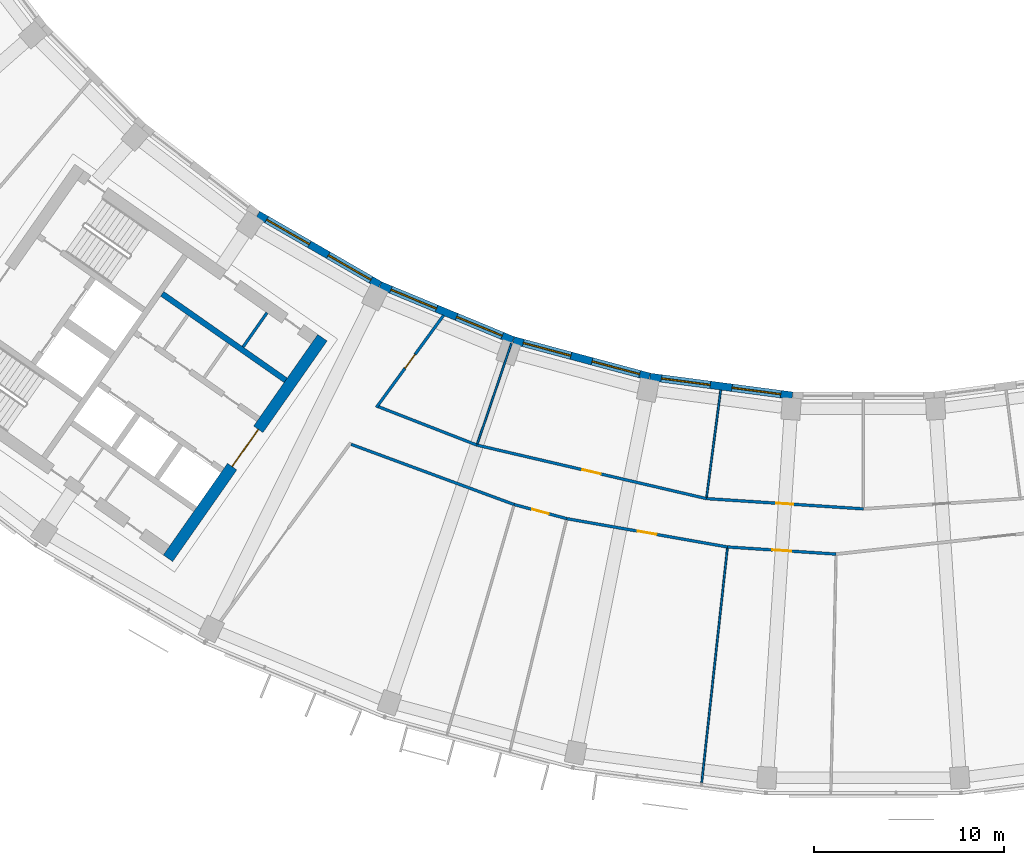
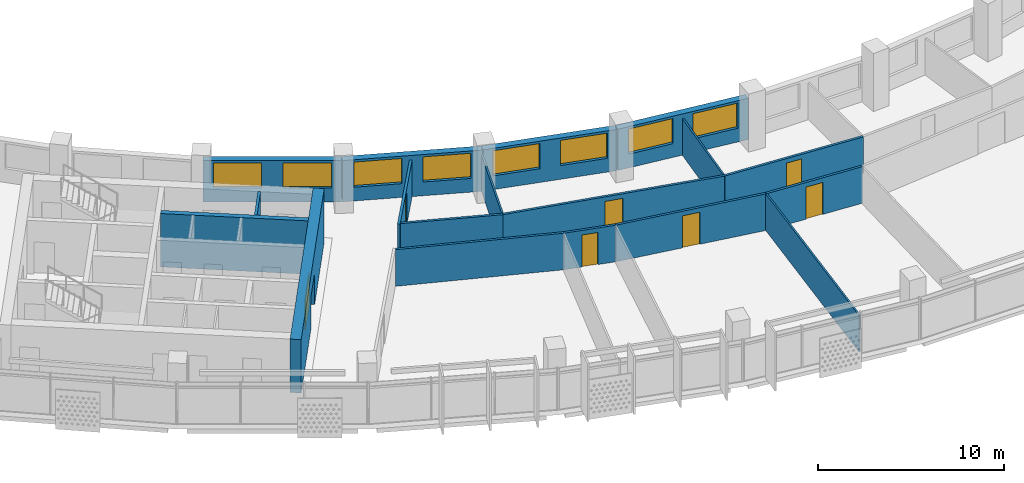
# One storey, part 4 of 27: 18 walls, 8 windows, 7 doors, 15 openings.
"""IFC4 building model written with IfcOpenShell, lengths in metres."""

from ifc_helpers import new_model, si_unit, direction, frame, frame_2d, origin, place, context, subcontext, project, spatial, rectangle, extrude, material, layer, layer_set, type_object, element, fill, save


model = new_model("IFC4")

# Units and contexts
model_context = context("Model", 3, precision=1e-05, world=origin(), true_north=direction((0.0, 1.0)))
body_context = subcontext(model_context, "Body", "Model", "MODEL_VIEW")
ifc_project = project(units=[si_unit("LENGTHUNIT", "METRE"), si_unit("AREAUNIT", "SQUARE_METRE"), si_unit("VOLUMEUNIT", "CUBIC_METRE"), si_unit("PLANEANGLEUNIT", "RADIAN"), si_unit("MASSUNIT", "GRAM", prefix="KILO")], contexts=[model_context])

# Site, building, storey
site_placement = place(None, origin())
site = spatial("IfcSite", under=ifc_project, at=site_placement, CompositionType="ELEMENT")
building_placement = place(site_placement, origin())
building = spatial("IfcBuilding", under=site, at=building_placement, Name="Qamariyya Broadcast Tower", CompositionType="ELEMENT")
storey_placement = place(building_placement, frame((0.0, 0.0, 237.89990234375)))
storey = spatial("IfcBuildingStorey", under=building, at=storey_placement, Name="L57", CompositionType="ELEMENT", Elevation=237.89990234375)

# Wall, opening, door
ifc_material_1 = material(Name="Concrete C60/75", Category="concrete")
ifc_layer_1 = layer(ifc_material_1, 0.60009765625)
ifc_layer_set_1 = layer_set([ifc_layer_1], Name="Core wall 600 mm Concrete C60/75")
wall_type_1 = type_object("IfcWallType", Name="Core wall 600 mm Concrete C60/75", PredefinedType="SHEAR", material=ifc_layer_set_1)
wall_1_placement = place(storey_placement, frame((-36.66748046875, -66.005126953125, 0.0), z_axis=(0.0, 0.0, 1.0), x_axis=(0.573568499524, 0.819157601658, 0.0)))
wall_1 = element("IfcWall", 1, at=wall_1_placement, inside=storey, type_object=wall_type_1, Name="k-W-L57-WA", PredefinedType="SHEAR", context=body_context, shape_type="SweptSolid", body=[
    extrude(rectangle(XDim=14.19970703125, YDim=0.60009765625, at=frame_2d((7.099853515625, 0.0))), origin(), (0.0, 0.0, 1.0), 3.5),
])
opening_1_placement = place(wall_1_placement, frame((5.89990234375, 0.0, 0.0)))
opening_1 = element("IfcOpeningElement", 2, at=opening_1_placement, cuts=wall_1, Name="Opening KD3-W1", PredefinedType="OPENING", context=body_context, shape_type="SweptSolid", body=[
    extrude(rectangle(XDim=2.39990234375, YDim=2.10009765625, at=frame_2d((1.199951171875, 1.050048828125))), frame((0.0, 0.31005859375, 0.0), z_axis=(0.0, -1.0, 0.0), x_axis=(1.0, 0.0, 0.0)), (0.0, 0.0, 1.0), 0.6201171875),
])
ifc_material_2 = material(Name="Steel fire-resisting door leaf", Category="steel")
door_type_1 = type_object("IfcDoorType", Name="Lift lobby door KD3", OperationType="DOUBLE_DOOR_SINGLE_SWING", PredefinedType="DOOR", material=ifc_material_2)
door_1_placement = place(opening_1_placement, origin())
door_1 = element("IfcDoor", 3, at=door_1_placement, inside=storey, type_object=door_type_1, Name="k-W-L57-WA-D1", OperationType="DOUBLE_DOOR_SINGLE_SWING", OverallHeight=2.10009765625, OverallWidth=2.39990234375, PredefinedType="DOOR", context=body_context, shape_type="SweptSolid", body=[
    extrude(rectangle(XDim=2.39990234375, YDim=2.10009765625, at=frame_2d((1.199951171875, 1.050048828125))), frame((0.0, 0.02490234375, 0.0), z_axis=(0.0, -1.0, 0.0), x_axis=(1.0, 0.0, 0.0)), (0.0, 0.0, 1.0), 0.050048828125),
])
fill(opening_1, door_1)

# Walls
ifc_material_3 = material(Name="Gypsum board partition")
ifc_layer_2 = layer(ifc_material_3, 0.14990234375)
ifc_layer_set_2 = layer_set([ifc_layer_2], Name="Corridor partition 150 EI 60")
wall_type_2 = type_object("IfcWallType", Name="Corridor partition 150 EI 60", PredefinedType="PARTITIONING", material=ifc_layer_set_2)
wall_2_placement = place(storey_placement, frame((-27.00732421875, -59.996337890625, 0.0), z_axis=(0.0, 0.0, 1.0), x_axis=(0.938039704857, -0.34652779414, 0.0)))
element("IfcWall", 4, at=wall_2_placement, inside=storey, type_object=wall_type_2, Name="Partition L57-003", PredefinedType="PARTITIONING", context=body_context, shape_type="SweptSolid", body=[
    extrude(rectangle(XDim=9.160400390625, YDim=0.14990234375, at=frame_2d((4.580078125, 0.0))), origin(), (0.0, 0.0, 1.0), 2.400146484375),
])
wall_3_placement = place(storey_placement, frame((-25.561767578125, -58.014892578125, 0.0), z_axis=(0.0, 0.0, 1.0), x_axis=(0.931697931841, -0.363234034479, 0.0)))
element("IfcWall", 5, at=wall_3_placement, inside=storey, type_object=wall_type_2, Name="Partition L57-004", PredefinedType="PARTITIONING", context=body_context, shape_type="SweptSolid", body=[
    extrude(rectangle(XDim=5.5625, YDim=0.14990234375, at=frame_2d((2.78125, 0.0))), origin(), (0.0, 0.0, 1.0), 2.400146484375),
])

# Wall, opening, door
wall_4_placement = place(storey_placement, frame((-22.135498046875, -53.1943359375, 0.0), z_axis=(0.0, 0.0, 1.0), x_axis=(-0.589297062476, -0.807916438846, 0.0)))
wall_4 = element("IfcWall", 6, at=wall_4_placement, inside=storey, type_object=wall_type_2, Name="Partition L57-006", PredefinedType="PARTITIONING", context=body_context, shape_type="SweptSolid", body=[
    extrude(rectangle(XDim=6.008056640625, YDim=0.14990234375, at=frame_2d((3.00390625, 0.0))), origin(), (0.0, 0.0, 1.0), 2.400146484375),
])
opening_2_placement = place(wall_4_placement, frame((2.553955078125, 0.0, 0.0)))
opening_2 = element("IfcOpeningElement", 7, at=opening_2_placement, cuts=wall_4, Name="Opening L57-D08", PredefinedType="OPENING", context=body_context, shape_type="SweptSolid", body=[
    extrude(rectangle(XDim=0.89990234375, YDim=2.10009765625, at=frame_2d((0.449951171875, 1.050048828125))), frame((0.0, 0.0849609375, 0.0), z_axis=(0.0, -1.0, 0.0), x_axis=(1.0, 0.0, 0.0)), (0.0, 0.0, 1.0), 0.169921875),
])
ifc_material_4 = material(Name="Timber fire door leaf", Category="wood")
door_type_2 = type_object("IfcDoorType", Name="Fire door 900 x 2100 FD60", OperationType="NOTDEFINED", PredefinedType="DOOR", material=ifc_material_4)
door_2_placement = place(opening_2_placement, origin())
door_2 = element("IfcDoor", 8, at=door_2_placement, inside=storey, type_object=door_type_2, Name="Door L57-D08", OperationType="SINGLE_SWING_RIGHT", OverallHeight=2.10009765625, OverallWidth=0.89990234375, PredefinedType="DOOR", context=body_context, shape_type="SweptSolid", body=[
    extrude(rectangle(XDim=0.89990234375, YDim=2.10009765625, at=frame_2d((0.449951171875, 1.050048828125))), frame((0.0, 0.02490234375, 0.0), z_axis=(0.0, -1.0, 0.0), x_axis=(1.0, 0.0, 0.0)), (0.0, 0.0, 1.0), 0.050048828125),
])
fill(opening_2, door_2)

wall_5_placement = place(storey_placement, frame((-20.379150390625, -60.035400390625, 0.0), z_axis=(0.0, 0.0, 1.0), x_axis=(0.973875828479, -0.227081198483, 0.0)))
wall_5 = element("IfcWall", 9, at=wall_5_placement, inside=storey, type_object=wall_type_2, Name="Partition L57-007", PredefinedType="PARTITIONING", context=body_context, shape_type="SweptSolid", body=[
    extrude(rectangle(XDim=12.428466796875, YDim=0.14990234375, at=frame_2d((6.21435546875, 0.0))), origin(), (0.0, 0.0, 1.0), 2.400146484375),
])
opening_3_placement = place(wall_5_placement, frame((5.71435546875, 0.0, 0.0)))
opening_3 = element("IfcOpeningElement", 10, at=opening_3_placement, cuts=wall_5, Name="Opening L57-D09", PredefinedType="OPENING", context=body_context, shape_type="SweptSolid", body=[
    extrude(rectangle(XDim=1.0, YDim=2.10009765625, at=frame_2d((0.5, 1.050048828125))), frame((0.0, 0.0849609375, 0.0), z_axis=(0.0, -1.0, 0.0), x_axis=(1.0, 0.0, 0.0)), (0.0, 0.0, 1.0), 0.169921875),
])
door_type_3 = type_object("IfcDoorType", Name="Fire door 1000 x 2100 FD60", OperationType="NOTDEFINED", PredefinedType="DOOR", material=ifc_material_4)
door_3_placement = place(opening_3_placement, origin())
door_3 = element("IfcDoor", 11, at=door_3_placement, inside=storey, type_object=door_type_3, Name="Door L57-D09", OperationType="SINGLE_SWING_RIGHT", OverallHeight=2.10009765625, OverallWidth=1.0, PredefinedType="DOOR", context=body_context, shape_type="SweptSolid", body=[
    extrude(rectangle(XDim=1.0, YDim=2.10009765625, at=frame_2d((0.5, 1.050048828125))), frame((0.0, 0.02490234375, 0.0), z_axis=(0.0, -1.0, 0.0), x_axis=(1.0, 0.0, 0.0)), (0.0, 0.0, 1.0), 0.050048828125),
])
fill(opening_3, door_3)

wall_6_placement = place(storey_placement, frame((-15.637939453125, -63.914794921875, 0.0), z_axis=(0.0, 0.0, 1.0), x_axis=(-0.965912791771, 0.258867685687, 0.0)))
wall_6 = element("IfcWall", 12, at=wall_6_placement, inside=storey, type_object=wall_type_2, Name="Partition L57-010", PredefinedType="PARTITIONING", context=body_context, shape_type="SweptSolid", body=[
    extrude(rectangle(XDim=2.87451171875, YDim=0.14990234375, at=frame_2d((1.437255859375, 0.0))), origin(), (0.0, 0.0, 1.0), 2.400146484375),
])
opening_4_placement = place(wall_6_placement, frame((0.9873046875, 0.0, 0.0)))
opening_4 = element("IfcOpeningElement", 13, at=opening_4_placement, cuts=wall_6, Name="Opening L57-D02", PredefinedType="OPENING", context=body_context, shape_type="SweptSolid", body=[
    extrude(rectangle(XDim=0.89990234375, YDim=2.10009765625, at=frame_2d((0.449951171875, 1.050048828125))), frame((0.0, 0.0849609375, 0.0), z_axis=(0.0, -1.0, 0.0), x_axis=(1.0, 0.0, 0.0)), (0.0, 0.0, 1.0), 0.169921875),
])
door_4_placement = place(opening_4_placement, origin())
door_4 = element("IfcDoor", 14, at=door_4_placement, inside=storey, type_object=door_type_2, Name="Door L57-D02", OperationType="SINGLE_SWING_RIGHT", OverallHeight=2.10009765625, OverallWidth=0.89990234375, PredefinedType="DOOR", context=body_context, shape_type="SweptSolid", body=[
    extrude(rectangle(XDim=0.89990234375, YDim=2.10009765625, at=frame_2d((0.449951171875, 1.050048828125))), frame((0.0, 0.02490234375, 0.0), z_axis=(0.0, -1.0, 0.0), x_axis=(1.0, 0.0, 0.0)), (0.0, 0.0, 1.0), 0.050048828125),
])
fill(opening_4, door_4)

wall_7_placement = place(storey_placement, frame((-7.16162109375, -65.4091796875, 0.0), z_axis=(0.0, 0.0, 1.0), x_axis=(-0.984812101115, 0.173623516545, 0.0)))
wall_7 = element("IfcWall", 15, at=wall_7_placement, inside=storey, type_object=wall_type_2, Name="Partition L57-011", PredefinedType="PARTITIONING", context=body_context, shape_type="SweptSolid", body=[
    extrude(rectangle(XDim=8.60693359375, YDim=0.14990234375, at=frame_2d((4.303466796875, 0.0))), origin(), (0.0, 0.0, 1.0), 2.400146484375),
])
opening_5_placement = place(wall_7_placement, frame((3.803466796875, 0.0, 0.0)))
opening_5 = element("IfcOpeningElement", 16, at=opening_5_placement, cuts=wall_7, Name="Opening L57-D03", PredefinedType="OPENING", context=body_context, shape_type="SweptSolid", body=[
    extrude(rectangle(XDim=1.0, YDim=2.10009765625, at=frame_2d((0.5, 1.050048828125))), frame((0.0, 0.0849609375, 0.0), z_axis=(0.0, -1.0, 0.0), x_axis=(1.0, 0.0, 0.0)), (0.0, 0.0, 1.0), 0.169921875),
])
door_5_placement = place(opening_5_placement, origin())
door_5 = element("IfcDoor", 17, at=door_5_placement, inside=storey, type_object=door_type_3, Name="Door L57-D03", OperationType="SINGLE_SWING_RIGHT", OverallHeight=2.10009765625, OverallWidth=1.0, PredefinedType="DOOR", context=body_context, shape_type="SweptSolid", body=[
    extrude(rectangle(XDim=1.0, YDim=2.10009765625, at=frame_2d((0.5, 1.050048828125))), frame((0.0, 0.02490234375, 0.0), z_axis=(0.0, -1.0, 0.0), x_axis=(1.0, 0.0, 0.0)), (0.0, 0.0, 1.0), 0.050048828125),
])
fill(opening_5, door_5)

wall_8_placement = place(storey_placement, frame((-8.275390625, -62.857666015625, 0.0), z_axis=(0.0, 0.0, 1.0), x_axis=(0.997860193426, -0.065383747038, 0.0)))
wall_8 = element("IfcWall", 18, at=wall_8_placement, inside=storey, type_object=wall_type_2, Name="Partition L57-013", PredefinedType="PARTITIONING", context=body_context, shape_type="SweptSolid", body=[
    extrude(rectangle(XDim=8.293212890625, YDim=0.14990234375, at=frame_2d((4.146484375, 0.0))), origin(), (0.0, 0.0, 1.0), 2.400146484375),
])
opening_6_placement = place(wall_8_placement, frame((3.696533203125, 0.0, 0.0)))
opening_6 = element("IfcOpeningElement", 19, at=opening_6_placement, cuts=wall_8, Name="Opening L57-D10", PredefinedType="OPENING", context=body_context, shape_type="SweptSolid", body=[
    extrude(rectangle(XDim=0.89990234375, YDim=2.10009765625, at=frame_2d((0.449951171875, 1.050048828125))), frame((0.0, 0.0849609375, 0.0), z_axis=(0.0, -1.0, 0.0), x_axis=(1.0, 0.0, 0.0)), (0.0, 0.0, 1.0), 0.169921875),
])
door_6_placement = place(opening_6_placement, origin())
door_6 = element("IfcDoor", 20, at=door_6_placement, inside=storey, type_object=door_type_2, Name="Door L57-D10", OperationType="SINGLE_SWING_RIGHT", OverallHeight=2.10009765625, OverallWidth=0.89990234375, PredefinedType="DOOR", context=body_context, shape_type="SweptSolid", body=[
    extrude(rectangle(XDim=0.89990234375, YDim=2.10009765625, at=frame_2d((0.449951171875, 1.050048828125))), frame((0.0, 0.02490234375, 0.0), z_axis=(0.0, -1.0, 0.0), x_axis=(1.0, 0.0, 0.0)), (0.0, 0.0, 1.0), 0.050048828125),
])
fill(opening_6, door_6)

wall_9_placement = place(storey_placement, frame((-1.437255859375, -65.7841796875, 0.0), z_axis=(0.0, 0.0, 1.0), x_axis=(-0.997861137906, 0.065369331165, 0.0)))
wall_9 = element("IfcWall", 21, at=wall_9_placement, inside=storey, type_object=wall_type_2, Name="Partition L57-015", PredefinedType="PARTITIONING", context=body_context, shape_type="SweptSolid", body=[
    extrude(rectangle(XDim=5.736572265625, YDim=0.14990234375, at=frame_2d((2.8681640625, 0.0))), origin(), (0.0, 0.0, 1.0), 2.400146484375),
])
opening_7_placement = place(wall_9_placement, frame((2.368408203125, 0.0, 0.0)))
opening_7 = element("IfcOpeningElement", 22, at=opening_7_placement, cuts=wall_9, Name="Opening L57-D04", PredefinedType="OPENING", context=body_context, shape_type="SweptSolid", body=[
    extrude(rectangle(XDim=1.0, YDim=2.10009765625, at=frame_2d((0.5, 1.050048828125))), frame((0.0, 0.0849609375, 0.0), z_axis=(0.0, -1.0, 0.0), x_axis=(1.0, 0.0, 0.0)), (0.0, 0.0, 1.0), 0.169921875),
])
door_7_placement = place(opening_7_placement, origin())
door_7 = element("IfcDoor", 23, at=door_7_placement, inside=storey, type_object=door_type_3, Name="Door L57-D04", OperationType="SINGLE_SWING_RIGHT", OverallHeight=2.10009765625, OverallWidth=1.0, PredefinedType="DOOR", context=body_context, shape_type="SweptSolid", body=[
    extrude(rectangle(XDim=1.0, YDim=2.10009765625, at=frame_2d((0.5, 1.050048828125))), frame((0.0, 0.02490234375, 0.0), z_axis=(0.0, -1.0, 0.0), x_axis=(1.0, 0.0, 0.0)), (0.0, 0.0, 1.0), 0.050048828125),
])
fill(opening_7, door_7)

# Walls
ifc_material_5 = material(Name="Gypsum board partition on steel studs", Category="steel")
ifc_layer_3 = layer(ifc_material_5, 0.14990234375)
ifc_layer_set_3 = layer_set([ifc_layer_3], Name="Gypsum board partition 150 mm")
wall_type_3 = type_object("IfcWallType", Name="Gypsum board partition 150 mm", PredefinedType="PARTITIONING", material=ifc_layer_set_3)
wall_10_placement = place(storey_placement, frame((-32.709228515625, -54.860107421875, 0.0), z_axis=(0.0, 0.0, 1.0), x_axis=(0.573633636671, 0.819111989218, 0.0)))
element("IfcWall", 24, at=wall_10_placement, inside=storey, type_object=wall_type_3, Name="k-W-L57-NP285", PredefinedType="PARTITIONING", context=body_context, shape_type="SweptSolid", body=[
    extrude(rectangle(XDim=2.199951171875, YDim=0.14990234375, at=frame_2d((1.10009765625, 0.0))), origin(), (0.0, 0.0, 1.0), 3.5),
])
ifc_layer_4 = layer(ifc_material_1, 0.300048828125)
ifc_layer_set_4 = layer_set([ifc_layer_4], Name="Lift shaft wall 300 mm Concrete C60/75")
wall_type_4 = type_object("IfcWallType", Name="Lift shaft wall 300 mm Concrete C60/75", PredefinedType="SOLIDWALL", material=ifc_layer_set_4)
wall_11_placement = place(storey_placement, frame((-30.460693359375, -56.61767578125, 0.0), z_axis=(0.0, 0.0, 1.0), x_axis=(-0.819142461705, 0.573590121456, 0.0)))
element("IfcWall", 25, at=wall_11_placement, inside=storey, type_object=wall_type_4, Name="k-W-L57-NB0", PredefinedType="SOLIDWALL", context=body_context, shape_type="SweptSolid", body=[
    extrude(rectangle(XDim=7.949951171875, YDim=0.300048828125, at=frame_2d((3.97509765625, 0.0))), origin(), (0.0, 0.0, 1.0), 3.5),
])
ifc_layer_5 = layer(ifc_material_3, 0.10009765625)
ifc_layer_set_5 = layer_set([ifc_layer_5], Name="Partition 100")
wall_type_5 = type_object("IfcWallType", Name="Partition 100", PredefinedType="PARTITIONING", material=ifc_layer_set_5)
wall_12_placement = place(storey_placement, frame((-18.563232421875, -54.685302734375, 0.0), z_axis=(0.0, 0.0, 1.0), x_axis=(-0.321438701958, -0.946930388616, 0.0)))
element("IfcWall", 26, at=wall_12_placement, inside=storey, type_object=wall_type_5, Name="Partition L57-009", PredefinedType="PARTITIONING", context=body_context, shape_type="SweptSolid", body=[
    extrude(rectangle(XDim=5.574951171875, YDim=0.10009765625, at=frame_2d((2.78759765625, 0.0))), origin(), (0.0, 0.0, 1.0), 2.400146484375),
])
wall_13_placement = place(storey_placement, frame((-8.522216796875, -77.835205078125, 0.0), z_axis=(0.0, 0.0, 1.0), x_axis=(0.108852796, 0.994057880006, 0.0)))
element("IfcWall", 27, at=wall_13_placement, inside=storey, type_object=wall_type_5, Name="Partition L57-012", PredefinedType="PARTITIONING", context=body_context, shape_type="SweptSolid", body=[
    extrude(rectangle(XDim=12.42529296875, YDim=0.10009765625, at=frame_2d((6.212646484375, 0.0))), origin(), (0.0, 0.0, 1.0), 2.400146484375),
])
wall_14_placement = place(storey_placement, frame((-7.52197265625, -57.13427734375, 0.0), z_axis=(0.0, 0.0, 1.0), x_axis=(-0.130518800749, -0.991445834451, 0.0)))
element("IfcWall", 28, at=wall_14_placement, inside=storey, type_object=wall_type_5, Name="Partition L57-014", PredefinedType="PARTITIONING", context=body_context, shape_type="SweptSolid", body=[
    extrude(rectangle(XDim=5.69775390625, YDim=0.10009765625, at=frame_2d((2.848876953125, 0.0))), origin(), (0.0, 0.0, 1.0), 2.400146484375),
])

# Wall, openings, windows
ifc_material_6 = material(Name="Terracotta", Category="masonry")
ifc_layer_6 = layer(ifc_material_6, 0.39990234375)
ifc_layer_set_6 = layer_set([ifc_layer_6], Name="Terracotta clad wall 400")
wall_type_6 = type_object("IfcWallType", Name="Terracotta clad wall 400", PredefinedType="SOLIDWALL", material=ifc_layer_set_6)
wall_15_placement = place(storey_placement, frame((-25.497802734375, -51.590087890625, 0.0), z_axis=(0.0, 0.0, 1.0), x_axis=(-0.866021353871, 0.500007014591, 0.0)))
wall_15 = element("IfcWall", 29, at=wall_15_placement, inside=storey, type_object=wall_type_6, Name="e-wl-L57-in40", PredefinedType="SOLIDWALL", context=body_context, shape_type="SweptSolid", body=[
    extrude(rectangle(XDim=7.4267578125, YDim=0.39990234375, at=frame_2d((3.71337890625, 0.0))), origin(), (0.0, 0.0, 1.0), 2.7001953125),
])
opening_8_placement = place(wall_15_placement, frame((4.28857421875, 0.0, 0.89990234375)))
opening_8 = element("IfcOpeningElement", 30, at=opening_8_placement, cuts=wall_15, Name="Opening W1", PredefinedType="OPENING", context=body_context, shape_type="SweptSolid", body=[
    extrude(rectangle(XDim=2.60009765625, YDim=1.64990234375, at=frame_2d((1.300048828125, 0.824951171875))), frame((0.0, 0.2099609375, 0.0), z_axis=(0.0, -1.0, 0.0), x_axis=(1.0, 0.0, 0.0)), (0.0, 0.0, 1.0), 0.419921875),
])
opening_9_placement = place(wall_15_placement, frame((0.537841796875, 0.0, 0.89990234375)))
opening_9 = element("IfcOpeningElement", 31, at=opening_9_placement, cuts=wall_15, Name="Opening W1", PredefinedType="OPENING", context=body_context, shape_type="SweptSolid", body=[
    extrude(rectangle(XDim=2.60009765625, YDim=1.64990234375, at=frame_2d((1.300048828125, 0.824951171875))), frame((0.0, 0.2099609375, 0.0), z_axis=(0.0, -1.0, 0.0), x_axis=(1.0, 0.0, 0.0)), (0.0, 0.0, 1.0), 0.419921875),
])
ifc_material_7 = material(Name="Clear low-e double glazed unit in aluminium frame", Category="aluminium")
window_type = type_object("IfcWindowType", Name="Ribbon window 2600 x 1650", PartitioningType="SINGLE_PANEL", PredefinedType="WINDOW", material=ifc_material_7)
window_1_placement = place(opening_8_placement, origin())
window_1 = element("IfcWindow", 32, at=window_1_placement, inside=storey, type_object=window_type, Name="e-w-L57-in04-0", OverallHeight=1.64990234375, OverallWidth=2.60009765625, PartitioningType="SINGLE_PANEL", PredefinedType="WINDOW", context=body_context, shape_type="SweptSolid", body=[
    extrude(rectangle(XDim=2.60009765625, YDim=1.64990234375, at=frame_2d((1.300048828125, 0.824951171875))), frame((0.0, 0.030029296875, 0.0), z_axis=(0.0, -1.0, 0.0), x_axis=(1.0, 0.0, 0.0)), (0.0, 0.0, 1.0), 0.06005859375),
])
fill(opening_8, window_1)
window_2_placement = place(opening_9_placement, origin())
window_2 = element("IfcWindow", 33, at=window_2_placement, inside=storey, type_object=window_type, Name="e-w-L57-in04-1", OverallHeight=1.64990234375, OverallWidth=2.60009765625, PartitioningType="SINGLE_PANEL", PredefinedType="WINDOW", context=body_context, shape_type="SweptSolid", body=[
    extrude(rectangle(XDim=2.60009765625, YDim=1.64990234375, at=frame_2d((1.300048828125, 0.824951171875))), frame((0.0, 0.030029296875, 0.0), z_axis=(0.0, -1.0, 0.0), x_axis=(1.0, 0.0, 0.0)), (0.0, 0.0, 1.0), 0.06005859375),
])
fill(opening_9, window_2)

wall_16_placement = place(storey_placement, frame((-18.475830078125, -54.505859375, 0.0), z_axis=(0.0, 0.0, 1.0), x_axis=(-0.923884115122, 0.382672368777, 0.0)))
wall_16 = element("IfcWall", 34, at=wall_16_placement, inside=storey, type_object=wall_type_6, Name="e-wl-L57-in50", PredefinedType="SOLIDWALL", context=body_context, shape_type="SweptSolid", body=[
    extrude(rectangle(XDim=7.578125, YDim=0.39990234375, at=frame_2d((3.7890625, 0.0))), origin(), (0.0, 0.0, 1.0), 2.7001953125),
])
opening_10_placement = place(wall_16_placement, frame((4.364501953125, 0.0, 0.89990234375)))
opening_10 = element("IfcOpeningElement", 35, at=opening_10_placement, cuts=wall_16, Name="Opening W1", PredefinedType="OPENING", context=body_context, shape_type="SweptSolid", body=[
    extrude(rectangle(XDim=2.60009765625, YDim=1.64990234375, at=frame_2d((1.300048828125, 0.824951171875))), frame((0.0, 0.2099609375, 0.0), z_axis=(0.0, -1.0, 0.0), x_axis=(1.0, 0.0, 0.0)), (0.0, 0.0, 1.0), 0.419921875),
])
opening_11_placement = place(wall_16_placement, frame((0.613525390625, 0.0, 0.89990234375)))
opening_11 = element("IfcOpeningElement", 36, at=opening_11_placement, cuts=wall_16, Name="Opening W1", PredefinedType="OPENING", context=body_context, shape_type="SweptSolid", body=[
    extrude(rectangle(XDim=2.60009765625, YDim=1.64990234375, at=frame_2d((1.300048828125, 0.824951171875))), frame((0.0, 0.2099609375, 0.0), z_axis=(0.0, -1.0, 0.0), x_axis=(1.0, 0.0, 0.0)), (0.0, 0.0, 1.0), 0.419921875),
])
window_3_placement = place(opening_10_placement, origin())
window_3 = element("IfcWindow", 37, at=window_3_placement, inside=storey, type_object=window_type, Name="e-w-L57-in05-0", OverallHeight=1.64990234375, OverallWidth=2.60009765625, PartitioningType="SINGLE_PANEL", PredefinedType="WINDOW", context=body_context, shape_type="SweptSolid", body=[
    extrude(rectangle(XDim=2.60009765625, YDim=1.64990234375, at=frame_2d((1.300048828125, 0.824951171875))), frame((0.0, 0.030029296875, 0.0), z_axis=(0.0, -1.0, 0.0), x_axis=(1.0, 0.0, 0.0)), (0.0, 0.0, 1.0), 0.06005859375),
])
fill(opening_10, window_3)
window_4_placement = place(opening_11_placement, origin())
window_4 = element("IfcWindow", 38, at=window_4_placement, inside=storey, type_object=window_type, Name="e-w-L57-in05-1", OverallHeight=1.64990234375, OverallWidth=2.60009765625, PartitioningType="SINGLE_PANEL", PredefinedType="WINDOW", context=body_context, shape_type="SweptSolid", body=[
    extrude(rectangle(XDim=2.60009765625, YDim=1.64990234375, at=frame_2d((1.300048828125, 0.824951171875))), frame((0.0, 0.030029296875, 0.0), z_axis=(0.0, -1.0, 0.0), x_axis=(1.0, 0.0, 0.0)), (0.0, 0.0, 1.0), 0.06005859375),
])
fill(opening_11, window_4)

wall_17_placement = place(storey_placement, frame((-11.276611328125, -56.431396484375, 0.0), z_axis=(0.0, 0.0, 1.0), x_axis=(-0.965924866111, 0.25882262851, 0.0)))
wall_17 = element("IfcWall", 39, at=wall_17_placement, inside=storey, type_object=wall_type_6, Name="e-wl-L57-in60", PredefinedType="SOLIDWALL", context=body_context, shape_type="SweptSolid", body=[
    extrude(rectangle(XDim=7.426513671875, YDim=0.39990234375, at=frame_2d((3.71337890625, 0.0))), origin(), (0.0, 0.0, 1.0), 2.7001953125),
])
opening_12_placement = place(wall_17_placement, frame((4.28857421875, 0.0, 0.89990234375)))
opening_12 = element("IfcOpeningElement", 40, at=opening_12_placement, cuts=wall_17, Name="Opening W1", PredefinedType="OPENING", context=body_context, shape_type="SweptSolid", body=[
    extrude(rectangle(XDim=2.60009765625, YDim=1.64990234375, at=frame_2d((1.300048828125, 0.824951171875))), frame((0.0, 0.2099609375, 0.0), z_axis=(0.0, -1.0, 0.0), x_axis=(1.0, 0.0, 0.0)), (0.0, 0.0, 1.0), 0.419921875),
])
opening_13_placement = place(wall_17_placement, frame((0.537841796875, 0.0, 0.89990234375)))
opening_13 = element("IfcOpeningElement", 41, at=opening_13_placement, cuts=wall_17, Name="Opening W1", PredefinedType="OPENING", context=body_context, shape_type="SweptSolid", body=[
    extrude(rectangle(XDim=2.60009765625, YDim=1.64990234375, at=frame_2d((1.300048828125, 0.824951171875))), frame((0.0, 0.2099609375, 0.0), z_axis=(0.0, -1.0, 0.0), x_axis=(1.0, 0.0, 0.0)), (0.0, 0.0, 1.0), 0.419921875),
])
window_5_placement = place(opening_12_placement, origin())
window_5 = element("IfcWindow", 42, at=window_5_placement, inside=storey, type_object=window_type, Name="e-w-L57-in06-0", OverallHeight=1.64990234375, OverallWidth=2.60009765625, PartitioningType="SINGLE_PANEL", PredefinedType="WINDOW", context=body_context, shape_type="SweptSolid", body=[
    extrude(rectangle(XDim=2.60009765625, YDim=1.64990234375, at=frame_2d((1.300048828125, 0.824951171875))), frame((0.0, 0.030029296875, 0.0), z_axis=(0.0, -1.0, 0.0), x_axis=(1.0, 0.0, 0.0)), (0.0, 0.0, 1.0), 0.06005859375),
])
fill(opening_12, window_5)
window_6_placement = place(opening_13_placement, origin())
window_6 = element("IfcWindow", 43, at=window_6_placement, inside=storey, type_object=window_type, Name="e-w-L57-in06-1", OverallHeight=1.64990234375, OverallWidth=2.60009765625, PartitioningType="SINGLE_PANEL", PredefinedType="WINDOW", context=body_context, shape_type="SweptSolid", body=[
    extrude(rectangle(XDim=2.60009765625, YDim=1.64990234375, at=frame_2d((1.300048828125, 0.824951171875))), frame((0.0, 0.030029296875, 0.0), z_axis=(0.0, -1.0, 0.0), x_axis=(1.0, 0.0, 0.0)), (0.0, 0.0, 1.0), 0.06005859375),
])
fill(opening_13, window_6)

wall_18_placement = place(storey_placement, frame((-3.7392578125, -57.430419921875, 0.0), z_axis=(0.0, 0.0, 1.0), x_axis=(-0.991446288508, 0.130515351599, 0.0)))
wall_18 = element("IfcWall", 44, at=wall_18_placement, inside=storey, type_object=wall_type_6, Name="e-wl-L57-in70", PredefinedType="SOLIDWALL", context=body_context, shape_type="SweptSolid", body=[
    extrude(rectangle(XDim=7.57763671875, YDim=0.39990234375, at=frame_2d((3.788818359375, 0.0))), origin(), (0.0, 0.0, 1.0), 2.7001953125),
])
opening_14_placement = place(wall_18_placement, frame((4.364501953125, 0.0, 0.89990234375)))
opening_14 = element("IfcOpeningElement", 45, at=opening_14_placement, cuts=wall_18, Name="Opening W1", PredefinedType="OPENING", context=body_context, shape_type="SweptSolid", body=[
    extrude(rectangle(XDim=2.60009765625, YDim=1.64990234375, at=frame_2d((1.300048828125, 0.824951171875))), frame((0.0, 0.2099609375, 0.0), z_axis=(0.0, -1.0, 0.0), x_axis=(1.0, 0.0, 0.0)), (0.0, 0.0, 1.0), 0.419921875),
])
opening_15_placement = place(wall_18_placement, frame((0.613525390625, 0.0, 0.89990234375)))
opening_15 = element("IfcOpeningElement", 46, at=opening_15_placement, cuts=wall_18, Name="Opening W1", PredefinedType="OPENING", context=body_context, shape_type="SweptSolid", body=[
    extrude(rectangle(XDim=2.60009765625, YDim=1.64990234375, at=frame_2d((1.300048828125, 0.824951171875))), frame((0.0, 0.2099609375, 0.0), z_axis=(0.0, -1.0, 0.0), x_axis=(1.0, 0.0, 0.0)), (0.0, 0.0, 1.0), 0.419921875),
])
window_7_placement = place(opening_14_placement, origin())
window_7 = element("IfcWindow", 47, at=window_7_placement, inside=storey, type_object=window_type, Name="e-w-L57-in07-0", OverallHeight=1.64990234375, OverallWidth=2.60009765625, PartitioningType="SINGLE_PANEL", PredefinedType="WINDOW", context=body_context, shape_type="SweptSolid", body=[
    extrude(rectangle(XDim=2.60009765625, YDim=1.64990234375, at=frame_2d((1.300048828125, 0.824951171875))), frame((0.0, 0.030029296875, 0.0), z_axis=(0.0, -1.0, 0.0), x_axis=(1.0, 0.0, 0.0)), (0.0, 0.0, 1.0), 0.06005859375),
])
fill(opening_14, window_7)
window_8_placement = place(opening_15_placement, origin())
window_8 = element("IfcWindow", 48, at=window_8_placement, inside=storey, type_object=window_type, Name="e-w-L57-in07-1", OverallHeight=1.64990234375, OverallWidth=2.60009765625, PartitioningType="SINGLE_PANEL", PredefinedType="WINDOW", context=body_context, shape_type="SweptSolid", body=[
    extrude(rectangle(XDim=2.60009765625, YDim=1.64990234375, at=frame_2d((1.300048828125, 0.824951171875))), frame((0.0, 0.030029296875, 0.0), z_axis=(0.0, -1.0, 0.0), x_axis=(1.0, 0.0, 0.0)), (0.0, 0.0, 1.0), 0.06005859375),
])
fill(opening_15, window_8)

save(model, "model.ifc")
